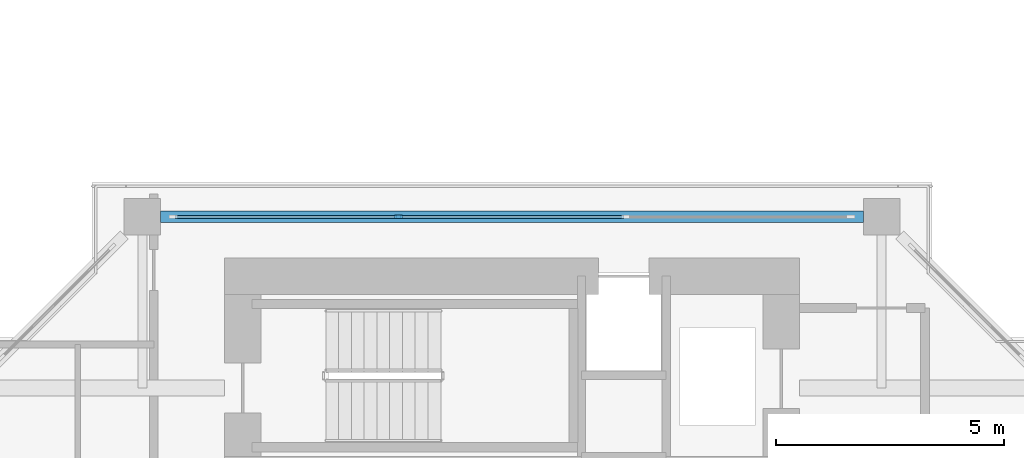
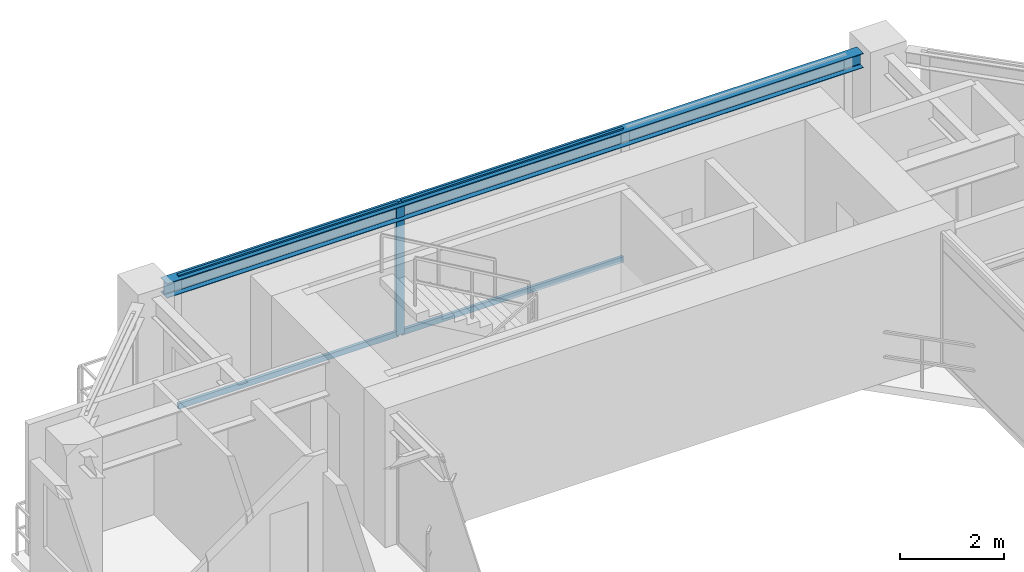
# One storey, part 9 of 23: 5 members, 1 beam, 1 element without a shape of its own.
"""IFC4 building model written with IfcOpenShell, lengths in metres."""

import ifcopenshell
import ifcopenshell.guid

model = None  # the IFC model being written
_history = None  # IfcOwnerHistory: only IFC2X3 demands one
_inside = {}  # id of a spatial element -> (the spatial element, [elements in it])
_under = {}  # id of a project, library or spatial element -> (it, [spatial elements below it])
_declared = {}  # id of a project -> (the project, [libraries it declares])
_typed = {}  # id of a type object -> (the type object, [elements of that type])
_made_of = {}  # id of a material, layer set ... -> (it, [elements and type objects made of it])


def new_model(schema):
    """Start an empty IFC model of exactly this schema.

    Asked for "IFC4X3", IfcOpenShell would pick the latest addendum, in which some entities
    have other attributes; the version numbers below select the first issue.
    IFC2X3 requires an IfcOwnerHistory on every rooted entity: one is made here for all.
    """
    global model, _history
    if schema == "IFC4X3":
        model = ifcopenshell.file(schema_version=(4, 3, 0, 0))
    else:
        model = ifcopenshell.file(schema=schema)
    _inside.clear()
    _under.clear()
    _declared.clear()
    _typed.clear()
    _made_of.clear()
    _history = None
    if model.schema == "IFC2X3":
        org = make("IfcOrganization", Name="unknown")
        user = make(
            "IfcPersonAndOrganization",
            ThePerson=make("IfcPerson", FamilyName="unknown"),
            TheOrganization=org,
        )
        app = make(
            "IfcApplication",
            ApplicationDeveloper=org,
            Version="unknown",
            ApplicationFullName="unknown",
            ApplicationIdentifier="unknown",
        )
        _history = make(
            "IfcOwnerHistory",
            OwningUser=user,
            OwningApplication=app,
            ChangeAction="ADDED",
            CreationDate=0,
        )
    return model


def make(cls, **values):
    """One entity of the class cls with the attributes given. An attribute that is None is left unset."""
    return model.create_entity(
        cls, **{name: value for name, value in values.items() if value is not None}
    )


def rooted(cls, **values):
    """An entity with a GlobalId (a new one), such as an element, a storey or a relation."""
    return make(cls, GlobalId=ifcopenshell.guid.new(), OwnerHistory=_history, **values)


def si_unit(unit_type, name, prefix=None):
    """IfcSIUnit, for example si_unit("LENGTHUNIT", "METRE", prefix="MILLI")."""
    return make("IfcSIUnit", UnitType=unit_type, Prefix=prefix, Name=name)


def assignment(units):
    """IfcUnitAssignment: the units of a project."""
    return None if units is None else make("IfcUnitAssignment", Units=units)


def point(xyz):
    """IfcCartesianPoint."""
    return None if xyz is None else make("IfcCartesianPoint", Coordinates=xyz)


def direction(xyz):
    """IfcDirection."""
    return None if xyz is None else make("IfcDirection", DirectionRatios=xyz)


def frame(location, z_axis=None, x_axis=None):
    """IfcAxis2Placement3D, a coordinate frame: its origin and axes. An axis left out is left unset."""
    return make(
        "IfcAxis2Placement3D",
        Location=point(location),
        Axis=direction(z_axis),
        RefDirection=direction(x_axis),
    )


def frame_2d(location, x_axis=None):
    """IfcAxis2Placement2D, a coordinate frame in the plane: its origin and x axis."""
    return make(
        "IfcAxis2Placement2D", Location=point(location), RefDirection=direction(x_axis)
    )


def origin():
    """The frame at (0, 0, 0) with its axes left unset."""
    return frame((0.0, 0.0, 0.0))


def origin_2d():
    """The frame at (0, 0) in the plane with its x axis left unset."""
    return frame_2d((0.0, 0.0))


def place(relative_to, where):
    """IfcLocalPlacement: puts the frame where relative to a parent placement (None: the world)."""
    return make(
        "IfcLocalPlacement", PlacementRelTo=relative_to, RelativePlacement=where
    )


def context(
    kind, dimensions, precision=None, world=None, true_north=None, identifier=None
):
    """IfcGeometricRepresentationContext, for example the 3D "Model" context."""
    return make(
        "IfcGeometricRepresentationContext",
        ContextIdentifier=identifier,
        ContextType=kind,
        CoordinateSpaceDimension=dimensions,
        Precision=precision,
        WorldCoordinateSystem=world,
        TrueNorth=true_north,
    )


def subcontext(parent, identifier, kind, view, scale=None):
    """IfcGeometricRepresentationSubContext, for example "Body" below "Model"."""
    return make(
        "IfcGeometricRepresentationSubContext",
        ContextIdentifier=identifier,
        ContextType=kind,
        ParentContext=parent,
        TargetScale=scale,
        TargetView=view,
    )


def project(units=None, contexts=None):
    """IfcProject with its units and contexts."""
    return rooted(
        "IfcProject",
        Name="project",
        RepresentationContexts=contexts,
        UnitsInContext=assignment(units),
    )


def spatial(cls, under=None, at=None, **own):
    """A site, building, storey or space (cls), placed at a placement, below another one or the project."""
    s = rooted(cls, ObjectPlacement=at, **own)
    if under is not None:
        _under.setdefault(under.id(), (under, []))[1].append(s)
    return s


def profile(cls, at=None, kind="AREA", **sizes):
    """A parametric profile (cls). Its sizes go by their IFC names, for example OverallWidth=200.0."""
    return make(cls, ProfileType=kind, Position=at, **sizes)


def rectangle(**sizes):
    """IfcRectangleProfileDef."""
    return profile("IfcRectangleProfileDef", **sizes)


def i_section(**sizes):
    """IfcIShapeProfileDef."""
    return profile("IfcIShapeProfileDef", **sizes)


def extrude(swept, where, along, depth):
    """IfcExtrudedAreaSolid: the profile swept, set in the frame where, extruded along a direction by depth."""
    return make(
        "IfcExtrudedAreaSolid",
        SweptArea=swept,
        Position=where,
        ExtrudedDirection=direction(along),
        Depth=depth,
    )


def shape(context_of_items, identifier, shape_type, items):
    """IfcShapeRepresentation: the items that make up one representation, for example the "Body"."""
    return make(
        "IfcShapeRepresentation",
        ContextOfItems=context_of_items,
        RepresentationIdentifier=identifier,
        RepresentationType=shape_type,
        Items=items,
    )


def source(mapping_origin, context_of_items, identifier, shape_type, items):
    """IfcRepresentationMap: a shape defined once, which mapped items show again and again."""
    return make(
        "IfcRepresentationMap",
        MappingOrigin=mapping_origin,
        MappedRepresentation=shape(context_of_items, identifier, shape_type, items),
    )


def transform(
    local_origin,
    x_axis=None,
    y_axis=None,
    z_axis=None,
    scale=None,
    scale2=None,
    scale3=None,
    uniform=True,
):
    """IfcCartesianTransformationOperator3D, or its non-uniform kind. x_axis, y_axis, z_axis: its Axis1, 2, 3."""
    if uniform:
        return make(
            "IfcCartesianTransformationOperator3D",
            Axis1=direction(x_axis),
            Axis2=direction(y_axis),
            LocalOrigin=point(local_origin),
            Scale=scale,
            Axis3=direction(z_axis),
        )
    return make(
        "IfcCartesianTransformationOperator3DnonUniform",
        Axis1=direction(x_axis),
        Axis2=direction(y_axis),
        LocalOrigin=point(local_origin),
        Scale=scale,
        Axis3=direction(z_axis),
        Scale2=scale2,
        Scale3=scale3,
    )


def mapped(mapping_source, mapping_target):
    """IfcMappedItem: shows the shape of a source again, moved by a transform."""
    return make(
        "IfcMappedItem", MappingSource=mapping_source, MappingTarget=mapping_target
    )


def material(Name=None, Category=None):
    """IfcMaterial."""
    return make("IfcMaterial", Name=Name, Category=Category)


def layer(
    of_material, thickness, ventilated=None, Name=None, Category=None, Priority=None
):
    """IfcMaterialLayer: one layer of a wall or slab, of a material (None: an air gap)."""
    return make(
        "IfcMaterialLayer",
        Material=of_material,
        LayerThickness=thickness,
        IsVentilated=ventilated,
        Name=Name,
        Category=Category,
        Priority=Priority,
    )


def layer_set(layers, Name=None):
    """IfcMaterialLayerSet."""
    return make("IfcMaterialLayerSet", MaterialLayers=layers, LayerSetName=Name)


def material_profile(
    of_material, cross_section, Name=None, Category=None, Priority=None
):
    """IfcMaterialProfile: a cross section and its material."""
    return make(
        "IfcMaterialProfile",
        Name=Name,
        Material=of_material,
        Profile=cross_section,
        Priority=Priority,
        Category=Category,
    )


def profile_set(profiles, Name=None, composite=None):
    """IfcMaterialProfileSet."""
    return make(
        "IfcMaterialProfileSet",
        Name=Name,
        MaterialProfiles=profiles,
        CompositeProfile=composite,
    )


def made_of(thing, what):
    """Note that an element or type object is made of a material, layer set ...; save() writes the relation."""
    if what is not None:
        _made_of.setdefault(what.id(), (what, []))[1].append(thing)
    return thing


def type_object(cls, material=None, **own):
    """A type object (cls), such as IfcWallType, which elements share."""
    return made_of(rooted(cls, **own), material)


def element(
    cls,
    number,
    at=None,
    inside=None,
    cuts=None,
    type_object=None,
    material=None,
    context=None,
    identifier="Body",
    shape_type=None,
    held_by="IfcProductDefinitionShape",
    body=None,
    shapes=None,
    **own,
):
    """One element of the class cls, such as IfcWall. Its Tag is "e" and its number.

    at: its placement. inside: the storey or other place that contains it. cuts: it is an
    opening in that element (IfcRelVoidsElement). A single representation is given by context,
    identifier, shape_type and body (its items); several are given by shapes. held_by: the class
    of the entity that holds the representations. save() writes the other relations.
    """
    e = rooted(cls, Tag="e%d" % number, ObjectPlacement=at, **own)
    if body is not None:
        shapes = [shape(context, identifier, shape_type, body)]
    if shapes is not None:
        e.Representation = make(held_by, Representations=shapes)
    if inside is not None:
        _inside.setdefault(inside.id(), (inside, []))[1].append(e)
    if cuts is not None:
        rooted(
            "IfcRelVoidsElement", RelatingBuildingElement=cuts, RelatedOpeningElement=e
        )
    if type_object is not None:
        _typed.setdefault(type_object.id(), (type_object, []))[1].append(e)
    return made_of(e, material)


def aggregate(whole, parts):
    """IfcRelAggregates: a whole, such as a stair, and the parts it consists of."""
    return rooted("IfcRelAggregates", RelatingObject=whole, RelatedObjects=parts)


def save(model, path):
    """Write the relations noted so far, then the file.

    IfcRelAggregates (storeys below a building ...), IfcRelContainedInSpatialStructure (elements
    in a storey), IfcRelDefinesByType, IfcRelAssociatesMaterial and IfcRelDeclares: one each for
    every whole, place, type object, material and project.
    """
    for whole, parts in _under.values():
        aggregate(whole, parts)
    for where, things in _inside.values():
        rooted(
            "IfcRelContainedInSpatialStructure",
            RelatedElements=things,
            RelatingStructure=where,
        )
    for kind, things in _typed.values():
        rooted("IfcRelDefinesByType", RelatedObjects=things, RelatingType=kind)
    for what, things in _made_of.values():
        rooted("IfcRelAssociatesMaterial", RelatedObjects=things, RelatingMaterial=what)
    for by, libraries in _declared.values():
        rooted("IfcRelDeclares", RelatingContext=by, RelatedDefinitions=libraries)
    model.write(path)


model = new_model("IFC4")

# Units and contexts
model_context = context("Model", 3, precision=1e-05, world=origin(), true_north=direction((0.0, 1.0)))
body_context = subcontext(model_context, "Body", "Model", "MODEL_VIEW")
ifc_project = project(units=[si_unit("LENGTHUNIT", "METRE"), si_unit("AREAUNIT", "SQUARE_METRE"), si_unit("VOLUMEUNIT", "CUBIC_METRE"), si_unit("PLANEANGLEUNIT", "RADIAN"), si_unit("MASSUNIT", "GRAM", prefix="KILO"), si_unit("THERMODYNAMICTEMPERATUREUNIT", "KELVIN"), si_unit("POWERUNIT", "WATT")], contexts=[model_context])

# Site, building, storey
site_placement = place(None, origin())
site = spatial("IfcSite", under=ifc_project, at=site_placement, CompositionType="ELEMENT")
building_placement = place(site_placement, origin())
building = spatial("IfcBuilding", under=site, at=building_placement, Name="Qiaomeng Ring Towers", CompositionType="ELEMENT")
storey_placement = place(building_placement, frame((0.0, 0.0, 73.0)))
storey = spatial("IfcBuildingStorey", under=building, at=storey_placement, Name="L20", CompositionType="ELEMENT", Elevation=73.0)

# Beam
ifc_material_1 = material(Name="Steel Q355B", Category="steel")
ifc_material_profile_1 = material_profile(ifc_material_1, i_section(OverallWidth=0.25, OverallDepth=0.340087890625, WebThickness=0.009033203125, FlangeThickness=0.013916015625, FilletRadius=0.02001953125, at=origin_2d()), Name="HM 340x250x9x14")
ifc_profile_set_1 = profile_set([ifc_material_profile_1], Name="Steel Q355B")
beam_type = type_object("IfcBeamType", Name="STR-BM-HM340", PredefinedType="SPANDREL", material=ifc_profile_set_1)
shared_shape_1 = source(origin(), body_context, "Body", "SweptSolid", [
    extrude(i_section(OverallWidth=0.25, OverallDepth=0.340087890625, WebThickness=0.009033203125, FlangeThickness=0.013916015625, FilletRadius=0.02001953125, at=origin_2d()), origin(), (0.0, 0.0, 1.0), 15.40185546875),
])
beam_placement = place(storey_placement, frame((68.200927734375, 34.85009765625, 2.89990234375), z_axis=(-1.0, 0.0, 0.0), x_axis=(0.0, -1.0, 0.0)))
element("IfcBeam", 1, at=beam_placement, inside=storey, type_object=beam_type, Name="L20 beam STR-SP-L20-T2-N2-N1", PredefinedType="SPANDREL", context=body_context, shape_type="MappedRepresentation", body=[
    mapped(shared_shape_1, transform((0.0, 0.0, 0.0), x_axis=(1.0, 0.0, 0.0), y_axis=(0.0, 1.0, 0.0), z_axis=(0.0, 0.0, 1.0), scale=1.0)),
])

# Curtain wall, members
ifc_material_2 = material(Name="Fluorocarbon dark-grey aluminium", Category="aluminium")
ifc_layer = layer(ifc_material_2, 0.14990234375, Name="Fluorocarbon dark-grey aluminium")
ifc_layer_set = layer_set([ifc_layer], Name="Fluorocarbon dark-grey aluminium")
curtain_wall_type = type_object("IfcCurtainWallType", Name="ARC-CW-5", PredefinedType="NOTDEFINED", material=ifc_layer_set)
curtain_wall_placement = place(storey_placement, origin())
curtain_wall = element("IfcCurtainWall", 2, at=curtain_wall_placement, inside=storey, type_object=curtain_wall_type, Name="L20 Curtain Wall CW5", PredefinedType="NOTDEFINED")
ifc_material_profile_2 = material_profile(ifc_material_2, rectangle(XDim=0.070068359375, YDim=0.179931640625, at=origin_2d()), Name="ALU MULL 70x180")
ifc_profile_set_2 = profile_set([ifc_material_profile_2], Name="Fluorocarbon dark-grey aluminium")
member_type_1 = type_object("IfcMemberType", Name="ARC-CWM-160", PredefinedType="MULLION", material=ifc_profile_set_2)
shared_shape_2 = source(origin(), body_context, "Body", "SweptSolid", [
    extrude(rectangle(XDim=0.070068359375, YDim=0.179931640625, at=origin_2d()), origin(), (0.0, 0.0, 1.0), 3.070068359375),
])
member_1_placement = place(storey_placement, frame((58.013427734375, 34.85009765625, 0.0), z_axis=(0.0, 0.0, 1.0), x_axis=(0.0, 1.0, 0.0)))
member_1 = element("IfcMember", 3, at=member_1_placement, type_object=member_type_1, Name="CW5 mullion 2", PredefinedType="MULLION", context=body_context, shape_type="MappedRepresentation", body=[
    mapped(shared_shape_2, transform((0.0, 0.0, 0.0), x_axis=(1.0, 0.0, 0.0), y_axis=(0.0, 1.0, 0.0), z_axis=(0.0, 0.0, 1.0), scale=1.0)),
])
ifc_material_profile_3 = material_profile(ifc_material_2, rectangle(XDim=0.06494140625, YDim=0.1298828125, at=origin_2d()), Name="ALU TRAN 65x130")
ifc_profile_set_3 = profile_set([ifc_material_profile_3], Name="Fluorocarbon dark-grey aluminium")
member_type_2 = type_object("IfcMemberType", Name="ARC-CWT-120", PredefinedType="USERDEFINED", material=ifc_profile_set_3)
shared_shape_3 = source(origin(), body_context, "Body", "SweptSolid", [
    extrude(rectangle(XDim=0.06494140625, YDim=0.1298828125, at=origin_2d()), origin(), (0.0, 0.0, 1.0), 4.8681640625),
])
member_2_placement = place(storey_placement, frame((53.110107421875, 34.85009765625, 0.032470703125), z_axis=(1.0, 0.0, 0.0), x_axis=(0.0, 1.0, 0.0)))
member_2 = element("IfcMember", 4, at=member_2_placement, type_object=member_type_2, Name="CW5 transom 1.1", ObjectType="TRANSOM", PredefinedType="USERDEFINED", context=body_context, shape_type="MappedRepresentation", body=[
    mapped(shared_shape_3, transform((0.0, 0.0, 0.0), x_axis=(1.0, 0.0, 0.0), y_axis=(0.0, 1.0, 0.0), z_axis=(0.0, 0.0, 1.0), scale=1.0)),
])
member_3_placement = place(storey_placement, frame((53.110107421875, 34.85009765625, 3.03759765625), z_axis=(1.0, 0.0, 0.0), x_axis=(0.0, 1.0, 0.0)))
member_3 = element("IfcMember", 5, at=member_3_placement, type_object=member_type_2, Name="CW5 transom 1.2", ObjectType="TRANSOM", PredefinedType="USERDEFINED", context=body_context, shape_type="MappedRepresentation", body=[
    mapped(shared_shape_3, transform((0.0, 0.0, 0.0), x_axis=(1.0, 0.0, 0.0), y_axis=(0.0, 1.0, 0.0), z_axis=(0.0, 0.0, 1.0), scale=1.0)),
])
shared_shape_4 = source(origin(), body_context, "Body", "SweptSolid", [
    extrude(rectangle(XDim=0.06494140625, YDim=0.1298828125, at=origin_2d()), origin(), (0.0, 0.0, 1.0), 4.9033203125),
])
member_4_placement = place(storey_placement, frame((58.04833984375, 34.85009765625, 0.032470703125), z_axis=(1.0, 0.0, 0.0), x_axis=(0.0, 1.0, 0.0)))
member_4 = element("IfcMember", 6, at=member_4_placement, type_object=member_type_2, Name="CW5 transom 2.1", ObjectType="TRANSOM", PredefinedType="USERDEFINED", context=body_context, shape_type="MappedRepresentation", body=[
    mapped(shared_shape_4, transform((0.0, 0.0, 0.0), x_axis=(1.0, 0.0, 0.0), y_axis=(0.0, 1.0, 0.0), z_axis=(0.0, 0.0, 1.0), scale=1.0)),
])
member_5_placement = place(storey_placement, frame((58.04833984375, 34.85009765625, 3.03759765625), z_axis=(1.0, 0.0, 0.0), x_axis=(0.0, 1.0, 0.0)))
member_5 = element("IfcMember", 7, at=member_5_placement, type_object=member_type_2, Name="CW5 transom 2.2", ObjectType="TRANSOM", PredefinedType="USERDEFINED", context=body_context, shape_type="MappedRepresentation", body=[
    mapped(shared_shape_4, transform((0.0, 0.0, 0.0), x_axis=(1.0, 0.0, 0.0), y_axis=(0.0, 1.0, 0.0), z_axis=(0.0, 0.0, 1.0), scale=1.0)),
])
aggregate(curtain_wall, [member_1, member_2, member_3, member_4, member_5])

save(model, "model.ifc")
